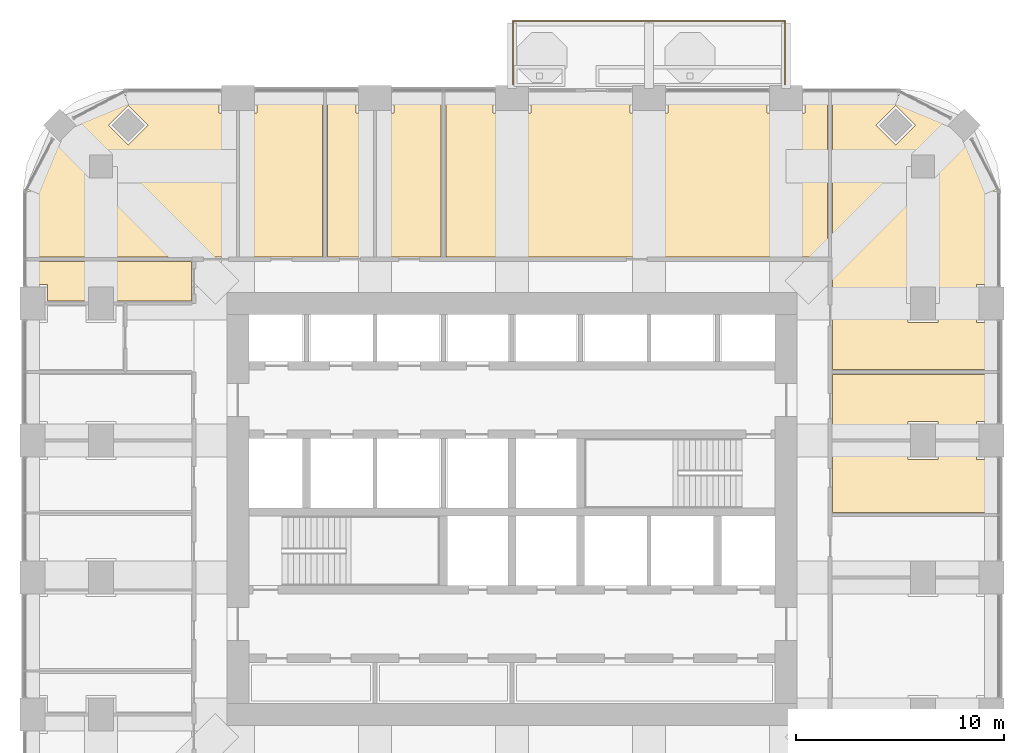
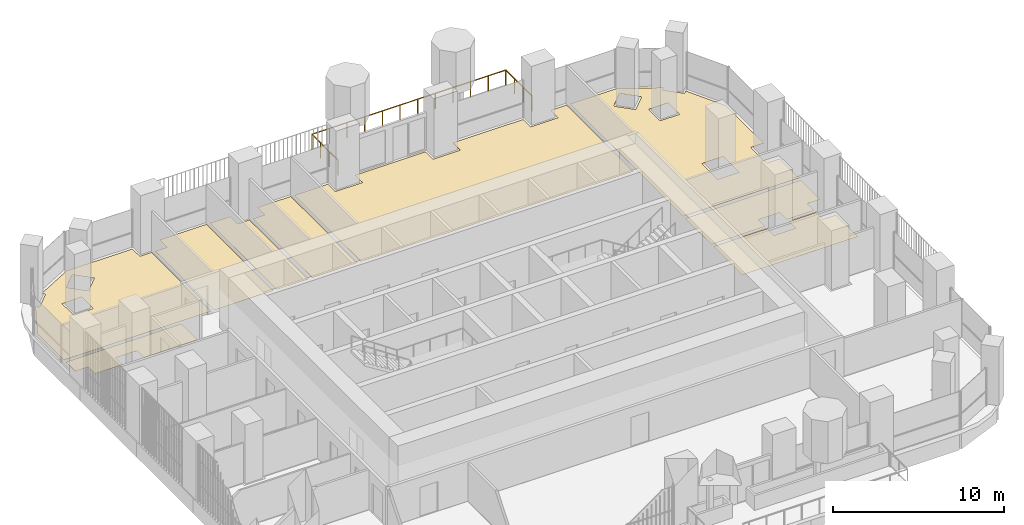
# One storey, part 18 of 19: 9 coverings, 1 railing.
"""IFC4 building model written with IfcOpenShell, lengths in metres."""

from ifc_helpers import new_model, si_unit, direction, frame, origin, place, context, subcontext, project, spatial, polyline, outline, extrude, material, layer, layer_set, type_object, element, save


model = new_model("IFC4")

# Units and contexts
model_context = context("Model", 3, precision=1e-05, world=origin(), true_north=direction((0.0, 1.0)))
body_context = subcontext(model_context, "Body", "Model", "MODEL_VIEW")
ifc_project = project(units=[si_unit("LENGTHUNIT", "METRE"), si_unit("AREAUNIT", "SQUARE_METRE"), si_unit("VOLUMEUNIT", "CUBIC_METRE"), si_unit("PLANEANGLEUNIT", "RADIAN"), si_unit("MASSUNIT", "GRAM", prefix="KILO")], contexts=[model_context])

# Site, building, storey
site_placement = place(None, origin())
site = spatial("IfcSite", under=ifc_project, at=site_placement, CompositionType="ELEMENT")
building_placement = place(site_placement, origin())
building = spatial("IfcBuilding", under=site, at=building_placement, Name="Cobogo Forest Laboratory Tower", CompositionType="ELEMENT")
storey_placement = place(building_placement, frame((0.0, 0.0, 206.10009765625)))
storey = spatial("IfcBuildingStorey", under=building, at=storey_placement, Name="L47", CompositionType="ELEMENT", Elevation=206.10009765625)

# Railing
ifc_material_1 = material(Name="Laminated glass balustrade", Category="glass")
railing_type = type_object("IfcRailingType", Name="BG1 glass balustrade 1100", PredefinedType="GUARDRAIL", material=ifc_material_1)
railing_placement = place(storey_placement, frame((26.449951171875, 43.550048828125, 0.0)))
element("IfcRailing", 1, at=railing_placement, inside=storey, type_object=railing_type, Name="Balcony balustrade BAL-N1 L47", PredefinedType="GUARDRAIL", context=body_context, shape_type="SweptSolid", body=[
    extrude(outline(polyline([(0.022216796875, 0.00927734375), (0.00927734375, 0.022216796875), (-0.00927734375, 0.022216796875), (-0.022216796875, 0.00927734375), (-0.022216796875, -0.00927734375), (-0.00927734375, -0.022216796875), (0.00927734375, -0.022216796875), (0.022216796875, -0.00927734375), (0.022216796875, 0.00927734375)])), frame((0.0, 0.0, 1.077880859375), z_axis=(0.0, 1.0, 0.0), x_axis=(-1.0, 0.0, 0.0)), (0.0, 0.0, 1.0), 3.050048828125),
    extrude(outline(polyline([(0.022216796875, 0.00927734375), (0.00927734375, 0.022216796875), (-0.00927734375, 0.022216796875), (-0.022216796875, 0.00927734375), (-0.022216796875, -0.00927734375), (-0.00927734375, -0.022216796875), (0.00927734375, -0.022216796875), (0.022216796875, -0.00927734375), (0.022216796875, 0.00927734375)])), frame((0.0, 3.050048828125, 1.077880859375), z_axis=(1.0, 0.0, 0.0), x_axis=(0.0, 1.0, 0.0)), (0.0, 0.0, 1.0), 13.10009765625),
    extrude(outline(polyline([(0.022216796875, 0.00927734375), (0.00927734375, 0.022216796875), (-0.00927734375, 0.022216796875), (-0.022216796875, 0.00927734375), (-0.022216796875, -0.00927734375), (-0.00927734375, -0.022216796875), (0.00927734375, -0.022216796875), (0.022216796875, -0.00927734375), (0.022216796875, 0.00927734375)])), frame((13.10009765625, 3.050048828125, 1.077880859375), z_axis=(0.0, -1.0, 0.0), x_axis=(1.0, 0.0, 0.0)), (0.0, 0.0, 1.0), 3.050048828125),
    extrude(outline(polyline([(0.019287109375, 0.008056640625), (0.008056640625, 0.019287109375), (-0.008056640625, 0.019287109375), (-0.019287109375, 0.008056640625), (-0.019287109375, -0.008056640625), (-0.008056640625, -0.019287109375), (0.008056640625, -0.019287109375), (0.019287109375, -0.008056640625), (0.019287109375, 0.008056640625)])), origin(), (0.0, 0.0, 1.0), 1.077880859375),
    extrude(outline(polyline([(0.019287109375, 0.008056640625), (0.008056640625, 0.019287109375), (-0.008056640625, 0.019287109375), (-0.019287109375, 0.008056640625), (-0.019287109375, -0.008056640625), (-0.008056640625, -0.019287109375), (0.008056640625, -0.019287109375), (0.019287109375, -0.008056640625), (0.019287109375, 0.008056640625)])), frame((0.0, 1.0166015625, 0.0)), (0.0, 0.0, 1.0), 1.077880859375),
    extrude(outline(polyline([(0.019287109375, 0.008056640625), (0.008056640625, 0.019287109375), (-0.008056640625, 0.019287109375), (-0.019287109375, 0.008056640625), (-0.019287109375, -0.008056640625), (-0.008056640625, -0.019287109375), (0.008056640625, -0.019287109375), (0.019287109375, -0.008056640625), (0.019287109375, 0.008056640625)])), frame((0.0, 2.033447265625, 0.0)), (0.0, 0.0, 1.0), 1.077880859375),
    extrude(outline(polyline([(0.019287109375, 0.008056640625), (0.008056640625, 0.019287109375), (-0.008056640625, 0.019287109375), (-0.019287109375, 0.008056640625), (-0.019287109375, -0.008056640625), (-0.008056640625, -0.019287109375), (0.008056640625, -0.019287109375), (0.019287109375, -0.008056640625), (0.019287109375, 0.008056640625)])), frame((0.0, 3.050048828125, 0.0)), (0.0, 0.0, 1.0), 1.077880859375),
    extrude(outline(polyline([(0.019287109375, 0.008056640625), (0.008056640625, 0.019287109375), (-0.008056640625, 0.019287109375), (-0.019287109375, 0.008056640625), (-0.019287109375, -0.008056640625), (-0.008056640625, -0.019287109375), (0.008056640625, -0.019287109375), (0.019287109375, -0.008056640625), (0.019287109375, 0.008056640625)])), frame((1.19091796875, 3.050048828125, 0.0)), (0.0, 0.0, 1.0), 1.077880859375),
    extrude(outline(polyline([(0.019287109375, 0.008056640625), (0.008056640625, 0.019287109375), (-0.008056640625, 0.019287109375), (-0.019287109375, 0.008056640625), (-0.019287109375, -0.008056640625), (-0.008056640625, -0.019287109375), (0.008056640625, -0.019287109375), (0.019287109375, -0.008056640625), (0.019287109375, 0.008056640625)])), frame((2.3818359375, 3.050048828125, 0.0)), (0.0, 0.0, 1.0), 1.077880859375),
    extrude(outline(polyline([(0.019287109375, 0.008056640625), (0.008056640625, 0.019287109375), (-0.008056640625, 0.019287109375), (-0.019287109375, 0.008056640625), (-0.019287109375, -0.008056640625), (-0.008056640625, -0.019287109375), (0.008056640625, -0.019287109375), (0.019287109375, -0.008056640625), (0.019287109375, 0.008056640625)])), frame((3.57275390625, 3.050048828125, 0.0)), (0.0, 0.0, 1.0), 1.077880859375),
    extrude(outline(polyline([(0.019287109375, 0.008056640625), (0.008056640625, 0.019287109375), (-0.008056640625, 0.019287109375), (-0.019287109375, 0.008056640625), (-0.019287109375, -0.008056640625), (-0.008056640625, -0.019287109375), (0.008056640625, -0.019287109375), (0.019287109375, -0.008056640625), (0.019287109375, 0.008056640625)])), frame((4.763671875, 3.050048828125, 0.0)), (0.0, 0.0, 1.0), 1.077880859375),
    extrude(outline(polyline([(0.019287109375, 0.008056640625), (0.008056640625, 0.019287109375), (-0.008056640625, 0.019287109375), (-0.019287109375, 0.008056640625), (-0.019287109375, -0.008056640625), (-0.008056640625, -0.019287109375), (0.008056640625, -0.019287109375), (0.019287109375, -0.008056640625), (0.019287109375, 0.008056640625)])), frame((5.95458984375, 3.050048828125, 0.0)), (0.0, 0.0, 1.0), 1.077880859375),
    extrude(outline(polyline([(0.019287109375, 0.008056640625), (0.008056640625, 0.019287109375), (-0.008056640625, 0.019287109375), (-0.019287109375, 0.008056640625), (-0.019287109375, -0.008056640625), (-0.008056640625, -0.019287109375), (0.008056640625, -0.019287109375), (0.019287109375, -0.008056640625), (0.019287109375, 0.008056640625)])), frame((7.1455078125, 3.050048828125, 0.0)), (0.0, 0.0, 1.0), 1.077880859375),
    extrude(outline(polyline([(0.019287109375, 0.008056640625), (0.008056640625, 0.019287109375), (-0.008056640625, 0.019287109375), (-0.019287109375, 0.008056640625), (-0.019287109375, -0.008056640625), (-0.008056640625, -0.019287109375), (0.008056640625, -0.019287109375), (0.019287109375, -0.008056640625), (0.019287109375, 0.008056640625)])), frame((8.33642578125, 3.050048828125, 0.0)), (0.0, 0.0, 1.0), 1.077880859375),
    extrude(outline(polyline([(0.019287109375, 0.008056640625), (0.008056640625, 0.019287109375), (-0.008056640625, 0.019287109375), (-0.019287109375, 0.008056640625), (-0.019287109375, -0.008056640625), (-0.008056640625, -0.019287109375), (0.008056640625, -0.019287109375), (0.019287109375, -0.008056640625), (0.019287109375, 0.008056640625)])), frame((9.52734375, 3.050048828125, 0.0)), (0.0, 0.0, 1.0), 1.077880859375),
    extrude(outline(polyline([(0.019287109375, 0.008056640625), (0.008056640625, 0.019287109375), (-0.008056640625, 0.019287109375), (-0.019287109375, 0.008056640625), (-0.019287109375, -0.008056640625), (-0.008056640625, -0.019287109375), (0.008056640625, -0.019287109375), (0.019287109375, -0.008056640625), (0.019287109375, 0.008056640625)])), frame((10.71826171875, 3.050048828125, 0.0)), (0.0, 0.0, 1.0), 1.077880859375),
    extrude(outline(polyline([(0.019287109375, 0.008056640625), (0.008056640625, 0.019287109375), (-0.008056640625, 0.019287109375), (-0.019287109375, 0.008056640625), (-0.019287109375, -0.008056640625), (-0.008056640625, -0.019287109375), (0.008056640625, -0.019287109375), (0.019287109375, -0.008056640625), (0.019287109375, 0.008056640625)])), frame((11.9091796875, 3.050048828125, 0.0)), (0.0, 0.0, 1.0), 1.077880859375),
    extrude(outline(polyline([(0.019287109375, 0.008056640625), (0.008056640625, 0.019287109375), (-0.008056640625, 0.019287109375), (-0.019287109375, 0.008056640625), (-0.019287109375, -0.008056640625), (-0.008056640625, -0.019287109375), (0.008056640625, -0.019287109375), (0.019287109375, -0.008056640625), (0.019287109375, 0.008056640625)])), frame((13.10009765625, 3.050048828125, 0.0)), (0.0, 0.0, 1.0), 1.077880859375),
    extrude(outline(polyline([(0.019287109375, 0.008056640625), (0.008056640625, 0.019287109375), (-0.008056640625, 0.019287109375), (-0.019287109375, 0.008056640625), (-0.019287109375, -0.008056640625), (-0.008056640625, -0.019287109375), (0.008056640625, -0.019287109375), (0.019287109375, -0.008056640625), (0.019287109375, 0.008056640625)])), frame((13.10009765625, 2.033447265625, 0.0)), (0.0, 0.0, 1.0), 1.077880859375),
    extrude(outline(polyline([(0.019287109375, 0.008056640625), (0.008056640625, 0.019287109375), (-0.008056640625, 0.019287109375), (-0.019287109375, 0.008056640625), (-0.019287109375, -0.008056640625), (-0.008056640625, -0.019287109375), (0.008056640625, -0.019287109375), (0.019287109375, -0.008056640625), (0.019287109375, 0.008056640625)])), frame((13.10009765625, 1.0166015625, 0.0)), (0.0, 0.0, 1.0), 1.077880859375),
    extrude(outline(polyline([(0.019287109375, 0.008056640625), (0.008056640625, 0.019287109375), (-0.008056640625, 0.019287109375), (-0.019287109375, 0.008056640625), (-0.019287109375, -0.008056640625), (-0.008056640625, -0.019287109375), (0.008056640625, -0.019287109375), (0.019287109375, -0.008056640625), (0.019287109375, 0.008056640625)])), frame((13.10009765625, 0.0, 0.0)), (0.0, 0.0, 1.0), 1.077880859375),
])

# Coverings
ifc_material_2 = material(Name="Carpet tile on raised access floor", Category="flooring")
ifc_layer_1 = layer(ifc_material_2, 0.008056640625)
ifc_layer_set_1 = layer_set([ifc_layer_1], Name="CT1 carpet tile floor 8")
covering_type_1 = type_object("IfcCoveringType", Name="CT1 carpet tile floor 8", PredefinedType="FLOORING", material=ifc_layer_set_1)
covering_1_placement = place(storey_placement, origin())
element("IfcCovering", 2, at=covering_1_placement, inside=storey, type_object=covering_type_1, Name="Carpet floor L47-08", PredefinedType="FLOORING", context=body_context, shape_type="SweptSolid", body=[
    extrude(outline(polyline([(41.844970703125, 43.050048828125), (44.95068359375, 43.050048828125), (47.412109375, 41.759765625), (47.234375, 41.58203125), (48.181884765625, 40.634521484375), (48.359619140625, 40.812255859375), (49.64990234375, 38.350830078125), (49.64990234375, 33.919921875), (48.780029296875, 33.919921875), (48.780029296875, 32.080078125), (49.64990234375, 32.080078125), (49.64990234375, 29.820068359375), (41.844970703125, 29.820068359375), (41.844970703125, 43.050048828125)]), holes=[polyline([(46.919921875, 32.080078125), (46.919921875, 33.919921875), (45.47998046875, 33.919921875), (45.47998046875, 32.080078125), (46.919921875, 32.080078125)]), polyline([(45.530029296875, 40.27001953125), (45.530029296875, 38.929931640625), (46.8701171875, 38.929931640625), (46.8701171875, 40.27001953125), (45.530029296875, 40.27001953125)]), polyline([(44.882080078125, 40.634521484375), (45.82958984375, 41.58203125), (44.882080078125, 42.529541015625), (43.9345703125, 41.58203125), (44.882080078125, 40.634521484375)])]), origin(), (0.0, 0.0, 1.0), 0.0078125),
])
covering_2_placement = place(storey_placement, origin())
element("IfcCovering", 3, at=covering_2_placement, inside=storey, type_object=covering_type_1, Name="Carpet floor L47-10", PredefinedType="FLOORING", context=body_context, shape_type="SweptSolid", body=[
    extrude(outline(polyline([(13.320068359375, 35.2451171875), (13.320068359375, 42.179931640625), (14.1201171875, 42.179931640625), (14.1201171875, 43.050048828125), (17.280029296875, 43.050048828125), (17.280029296875, 35.2451171875), (13.320068359375, 35.2451171875)])), origin(), (0.0, 0.0, 1.0), 0.0078125),
])
covering_3_placement = place(storey_placement, origin())
element("IfcCovering", 4, at=covering_3_placement, inside=storey, type_object=covering_type_1, Name="Carpet floor L47-12", PredefinedType="FLOORING", context=body_context, shape_type="SweptSolid", body=[
    extrude(outline(polyline([(19.919921875, 35.2451171875), (19.919921875, 42.179931640625), (20.719970703125, 42.179931640625), (20.719970703125, 43.050048828125), (22.97998046875, 43.050048828125), (22.97998046875, 35.2451171875), (19.919921875, 35.2451171875)])), origin(), (0.0, 0.0, 1.0), 0.0078125),
])
covering_4_placement = place(storey_placement, origin())
element("IfcCovering", 5, at=covering_4_placement, inside=storey, type_object=covering_type_1, Name="Carpet floor L47-13", PredefinedType="FLOORING", context=body_context, shape_type="SweptSolid", body=[
    extrude(outline(polyline([(23.219970703125, 35.2451171875), (23.219970703125, 43.050048828125), (25.47998046875, 43.050048828125), (25.47998046875, 42.179931640625), (27.320068359375, 42.179931640625), (27.320068359375, 43.050048828125), (32.080078125, 43.050048828125), (32.080078125, 42.179931640625), (33.919921875, 42.179931640625), (33.919921875, 43.050048828125), (38.679931640625, 43.050048828125), (38.679931640625, 42.179931640625), (40.52001953125, 42.179931640625), (40.52001953125, 43.050048828125), (41.60498046875, 43.050048828125), (41.60498046875, 35.2451171875), (23.219970703125, 35.2451171875)])), origin(), (0.0, 0.0, 1.0), 0.0078125),
])
ifc_material_3 = material(Name="Static-dissipative vinyl flooring", Category="flooring")
ifc_layer_2 = layer(ifc_material_3, 0.0029296875)
ifc_layer_set_2 = layer_set([ifc_layer_2], Name="SD1 static-dissipative vinyl floor 3")
covering_type_2 = type_object("IfcCoveringType", Name="SD1 static-dissipative vinyl floor 3", PredefinedType="FLOORING", material=ifc_layer_set_2)
covering_5_placement = place(storey_placement, origin())
element("IfcCovering", 6, at=covering_5_placement, inside=storey, type_object=covering_type_2, Name="Static-dissipative floor L47-06", PredefinedType="FLOORING", context=body_context, shape_type="SweptSolid", body=[
    extrude(outline(polyline([(41.844970703125, 26.280029296875), (45.47998046875, 26.280029296875), (45.47998046875, 25.47998046875), (46.919921875, 25.47998046875), (46.919921875, 26.280029296875), (48.780029296875, 26.280029296875), (48.780029296875, 25.47998046875), (49.64990234375, 25.47998046875), (49.64990234375, 22.919921875), (41.844970703125, 22.919921875), (41.844970703125, 26.280029296875)])), origin(), (0.0, 0.0, 1.0), 0.0029296875),
])
covering_6_placement = place(storey_placement, origin())
element("IfcCovering", 7, at=covering_6_placement, inside=storey, type_object=covering_type_2, Name="Static-dissipative floor L47-07", PredefinedType="FLOORING", context=body_context, shape_type="SweptSolid", body=[
    extrude(outline(polyline([(41.844970703125, 29.580078125), (49.64990234375, 29.580078125), (49.64990234375, 27.320068359375), (48.780029296875, 27.320068359375), (48.780029296875, 26.52001953125), (46.919921875, 26.52001953125), (46.919921875, 27.320068359375), (45.47998046875, 27.320068359375), (45.47998046875, 26.52001953125), (41.844970703125, 26.52001953125), (41.844970703125, 29.580078125)])), origin(), (0.0, 0.0, 1.0), 0.0029296875),
])
covering_7_placement = place(storey_placement, origin())
element("IfcCovering", 8, at=covering_7_placement, inside=storey, type_object=covering_type_2, Name="Static-dissipative floor L47-09", PredefinedType="FLOORING", context=body_context, shape_type="SweptSolid", body=[
    extrude(outline(polyline([(3.14990234375, 35.2451171875), (3.14990234375, 38.350830078125), (4.440185546875, 40.812255859375), (4.617919921875, 40.634521484375), (5.5654296875, 41.58203125), (5.387939453125, 41.759765625), (7.84912109375, 43.050048828125), (12.280029296875, 43.050048828125), (12.280029296875, 42.179931640625), (13.080078125, 42.179931640625), (13.080078125, 35.2451171875), (3.14990234375, 35.2451171875)]), holes=[polyline([(7.91796875, 40.634521484375), (8.865478515625, 41.58203125), (7.91796875, 42.529541015625), (6.970458984375, 41.58203125), (7.91796875, 40.634521484375)]), polyline([(5.929931640625, 38.929931640625), (7.27001953125, 38.929931640625), (7.27001953125, 40.27001953125), (5.929931640625, 40.27001953125), (5.929931640625, 38.929931640625)])]), origin(), (0.0, 0.0, 1.0), 0.0029296875),
])
covering_8_placement = place(storey_placement, origin())
element("IfcCovering", 9, at=covering_8_placement, inside=storey, type_object=covering_type_2, Name="Static-dissipative floor L47-21", PredefinedType="FLOORING", context=body_context, shape_type="SweptSolid", body=[
    extrude(outline(polyline([(10.955078125, 33.1201171875), (7.320068359375, 33.1201171875), (7.320068359375, 33.919921875), (5.8798828125, 33.919921875), (5.8798828125, 33.1201171875), (4.02001953125, 33.1201171875), (4.02001953125, 33.919921875), (3.14990234375, 33.919921875), (3.14990234375, 35.0048828125), (10.955078125, 35.0048828125), (10.955078125, 33.1201171875)])), origin(), (0.0, 0.0, 1.0), 0.0029296875),
])
ifc_material_4 = material(Name="Ceramic floor tile", Category="flooring")
ifc_layer_3 = layer(ifc_material_4, 0.010009765625)
ifc_layer_set_3 = layer_set([ifc_layer_3], Name="TF1 ceramic tile floor 10")
covering_type_3 = type_object("IfcCoveringType", Name="TF1 ceramic tile floor 10", PredefinedType="FLOORING", material=ifc_layer_set_3)
covering_9_placement = place(storey_placement, origin())
element("IfcCovering", 10, at=covering_9_placement, inside=storey, type_object=covering_type_3, Name="Tile floor L47-11", PredefinedType="FLOORING", context=body_context, shape_type="SweptSolid", body=[
    extrude(outline(polyline([(17.52001953125, 35.2451171875), (17.52001953125, 43.050048828125), (18.8798828125, 43.050048828125), (18.8798828125, 42.179931640625), (19.679931640625, 42.179931640625), (19.679931640625, 35.2451171875), (17.52001953125, 35.2451171875)])), origin(), (0.0, 0.0, 1.0), 0.010009765625),
])

save(model, "model.ifc")
